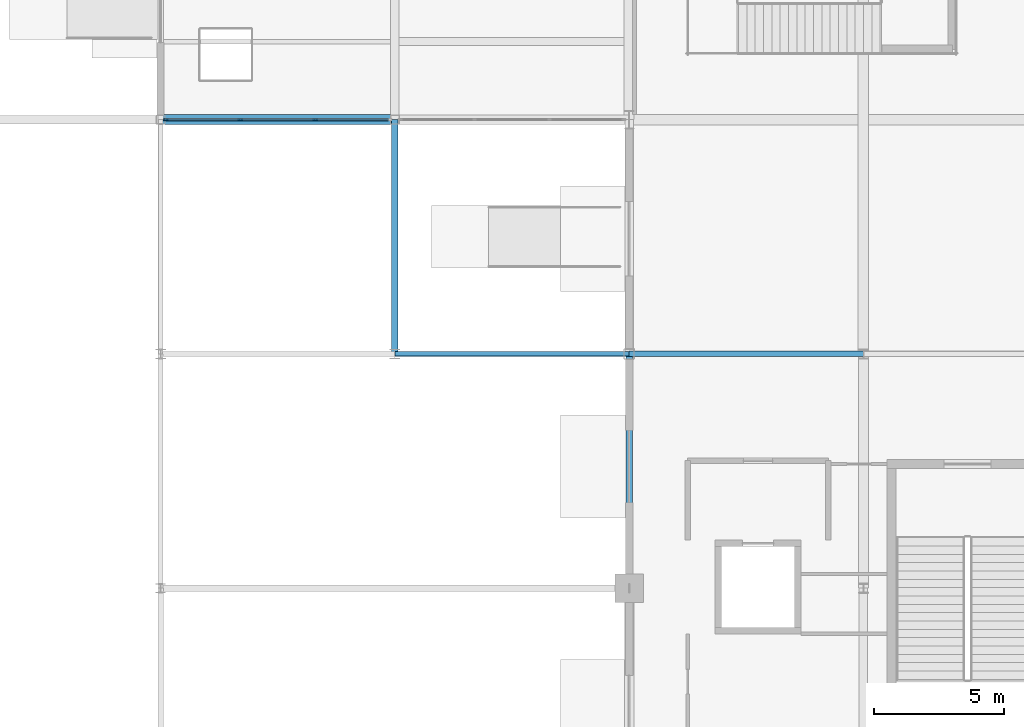
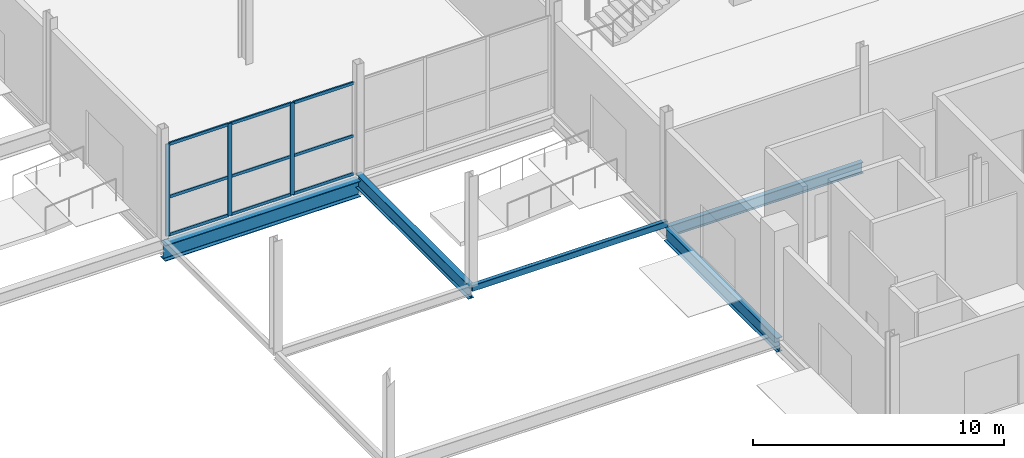
# One storey, part 30 of 94: 12 members, 5 beams, 1 element without a shape of its own.
"""IFC4 building model written with IfcOpenShell, lengths in metres."""

import ifcopenshell
import ifcopenshell.guid

model = None  # the IFC model being written
_history = None  # IfcOwnerHistory: only IFC2X3 demands one
_inside = {}  # id of a spatial element -> (the spatial element, [elements in it])
_under = {}  # id of a project, library or spatial element -> (it, [spatial elements below it])
_declared = {}  # id of a project -> (the project, [libraries it declares])
_typed = {}  # id of a type object -> (the type object, [elements of that type])
_made_of = {}  # id of a material, layer set ... -> (it, [elements and type objects made of it])


def new_model(schema):
    """Start an empty IFC model of exactly this schema.

    Asked for "IFC4X3", IfcOpenShell would pick the latest addendum, in which some entities
    have other attributes; the version numbers below select the first issue.
    IFC2X3 requires an IfcOwnerHistory on every rooted entity: one is made here for all.
    """
    global model, _history
    if schema == "IFC4X3":
        model = ifcopenshell.file(schema_version=(4, 3, 0, 0))
    else:
        model = ifcopenshell.file(schema=schema)
    _inside.clear()
    _under.clear()
    _declared.clear()
    _typed.clear()
    _made_of.clear()
    _history = None
    if model.schema == "IFC2X3":
        org = make("IfcOrganization", Name="unknown")
        user = make(
            "IfcPersonAndOrganization",
            ThePerson=make("IfcPerson", FamilyName="unknown"),
            TheOrganization=org,
        )
        app = make(
            "IfcApplication",
            ApplicationDeveloper=org,
            Version="unknown",
            ApplicationFullName="unknown",
            ApplicationIdentifier="unknown",
        )
        _history = make(
            "IfcOwnerHistory",
            OwningUser=user,
            OwningApplication=app,
            ChangeAction="ADDED",
            CreationDate=0,
        )
    return model


def make(cls, **values):
    """One entity of the class cls with the attributes given. An attribute that is None is left unset."""
    return model.create_entity(
        cls, **{name: value for name, value in values.items() if value is not None}
    )


def rooted(cls, **values):
    """An entity with a GlobalId (a new one), such as an element, a storey or a relation."""
    return make(cls, GlobalId=ifcopenshell.guid.new(), OwnerHistory=_history, **values)


def si_unit(unit_type, name, prefix=None):
    """IfcSIUnit, for example si_unit("LENGTHUNIT", "METRE", prefix="MILLI")."""
    return make("IfcSIUnit", UnitType=unit_type, Prefix=prefix, Name=name)


def assignment(units):
    """IfcUnitAssignment: the units of a project."""
    return None if units is None else make("IfcUnitAssignment", Units=units)


def point(xyz):
    """IfcCartesianPoint."""
    return None if xyz is None else make("IfcCartesianPoint", Coordinates=xyz)


def direction(xyz):
    """IfcDirection."""
    return None if xyz is None else make("IfcDirection", DirectionRatios=xyz)


def frame(location, z_axis=None, x_axis=None):
    """IfcAxis2Placement3D, a coordinate frame: its origin and axes. An axis left out is left unset."""
    return make(
        "IfcAxis2Placement3D",
        Location=point(location),
        Axis=direction(z_axis),
        RefDirection=direction(x_axis),
    )


def frame_2d(location, x_axis=None):
    """IfcAxis2Placement2D, a coordinate frame in the plane: its origin and x axis."""
    return make(
        "IfcAxis2Placement2D", Location=point(location), RefDirection=direction(x_axis)
    )


def origin():
    """The frame at (0, 0, 0) with its axes left unset."""
    return frame((0.0, 0.0, 0.0))


def origin_2d():
    """The frame at (0, 0) in the plane with its x axis left unset."""
    return frame_2d((0.0, 0.0))


def place(relative_to, where):
    """IfcLocalPlacement: puts the frame where relative to a parent placement (None: the world)."""
    return make(
        "IfcLocalPlacement", PlacementRelTo=relative_to, RelativePlacement=where
    )


def context(
    kind, dimensions, precision=None, world=None, true_north=None, identifier=None
):
    """IfcGeometricRepresentationContext, for example the 3D "Model" context."""
    return make(
        "IfcGeometricRepresentationContext",
        ContextIdentifier=identifier,
        ContextType=kind,
        CoordinateSpaceDimension=dimensions,
        Precision=precision,
        WorldCoordinateSystem=world,
        TrueNorth=true_north,
    )


def subcontext(parent, identifier, kind, view, scale=None):
    """IfcGeometricRepresentationSubContext, for example "Body" below "Model"."""
    return make(
        "IfcGeometricRepresentationSubContext",
        ContextIdentifier=identifier,
        ContextType=kind,
        ParentContext=parent,
        TargetScale=scale,
        TargetView=view,
    )


def project(units=None, contexts=None):
    """IfcProject with its units and contexts."""
    return rooted(
        "IfcProject",
        Name="project",
        RepresentationContexts=contexts,
        UnitsInContext=assignment(units),
    )


def spatial(cls, under=None, at=None, **own):
    """A site, building, storey or space (cls), placed at a placement, below another one or the project."""
    s = rooted(cls, ObjectPlacement=at, **own)
    if under is not None:
        _under.setdefault(under.id(), (under, []))[1].append(s)
    return s


def profile(cls, at=None, kind="AREA", **sizes):
    """A parametric profile (cls). Its sizes go by their IFC names, for example OverallWidth=200.0."""
    return make(cls, ProfileType=kind, Position=at, **sizes)


def rectangle(**sizes):
    """IfcRectangleProfileDef."""
    return profile("IfcRectangleProfileDef", **sizes)


def hollow_rectangle(**sizes):
    """IfcRectangleHollowProfileDef."""
    return profile("IfcRectangleHollowProfileDef", **sizes)


def i_section(**sizes):
    """IfcIShapeProfileDef."""
    return profile("IfcIShapeProfileDef", **sizes)


def extrude(swept, where, along, depth):
    """IfcExtrudedAreaSolid: the profile swept, set in the frame where, extruded along a direction by depth."""
    return make(
        "IfcExtrudedAreaSolid",
        SweptArea=swept,
        Position=where,
        ExtrudedDirection=direction(along),
        Depth=depth,
    )


def shape(context_of_items, identifier, shape_type, items):
    """IfcShapeRepresentation: the items that make up one representation, for example the "Body"."""
    return make(
        "IfcShapeRepresentation",
        ContextOfItems=context_of_items,
        RepresentationIdentifier=identifier,
        RepresentationType=shape_type,
        Items=items,
    )


def material(Name=None, Category=None):
    """IfcMaterial."""
    return make("IfcMaterial", Name=Name, Category=Category)


def layer(
    of_material, thickness, ventilated=None, Name=None, Category=None, Priority=None
):
    """IfcMaterialLayer: one layer of a wall or slab, of a material (None: an air gap)."""
    return make(
        "IfcMaterialLayer",
        Material=of_material,
        LayerThickness=thickness,
        IsVentilated=ventilated,
        Name=Name,
        Category=Category,
        Priority=Priority,
    )


def layer_set(layers, Name=None):
    """IfcMaterialLayerSet."""
    return make("IfcMaterialLayerSet", MaterialLayers=layers, LayerSetName=Name)


def material_profile(
    of_material, cross_section, Name=None, Category=None, Priority=None
):
    """IfcMaterialProfile: a cross section and its material."""
    return make(
        "IfcMaterialProfile",
        Name=Name,
        Material=of_material,
        Profile=cross_section,
        Priority=Priority,
        Category=Category,
    )


def profile_set(profiles, Name=None, composite=None):
    """IfcMaterialProfileSet."""
    return make(
        "IfcMaterialProfileSet",
        Name=Name,
        MaterialProfiles=profiles,
        CompositeProfile=composite,
    )


def made_of(thing, what):
    """Note that an element or type object is made of a material, layer set ...; save() writes the relation."""
    if what is not None:
        _made_of.setdefault(what.id(), (what, []))[1].append(thing)
    return thing


def type_object(cls, material=None, **own):
    """A type object (cls), such as IfcWallType, which elements share."""
    return made_of(rooted(cls, **own), material)


def element(
    cls,
    number,
    at=None,
    inside=None,
    cuts=None,
    type_object=None,
    material=None,
    context=None,
    identifier="Body",
    shape_type=None,
    held_by="IfcProductDefinitionShape",
    body=None,
    shapes=None,
    **own,
):
    """One element of the class cls, such as IfcWall. Its Tag is "e" and its number.

    at: its placement. inside: the storey or other place that contains it. cuts: it is an
    opening in that element (IfcRelVoidsElement). A single representation is given by context,
    identifier, shape_type and body (its items); several are given by shapes. held_by: the class
    of the entity that holds the representations. save() writes the other relations.
    """
    e = rooted(cls, Tag="e%d" % number, ObjectPlacement=at, **own)
    if body is not None:
        shapes = [shape(context, identifier, shape_type, body)]
    if shapes is not None:
        e.Representation = make(held_by, Representations=shapes)
    if inside is not None:
        _inside.setdefault(inside.id(), (inside, []))[1].append(e)
    if cuts is not None:
        rooted(
            "IfcRelVoidsElement", RelatingBuildingElement=cuts, RelatedOpeningElement=e
        )
    if type_object is not None:
        _typed.setdefault(type_object.id(), (type_object, []))[1].append(e)
    return made_of(e, material)


def aggregate(whole, parts):
    """IfcRelAggregates: a whole, such as a stair, and the parts it consists of."""
    return rooted("IfcRelAggregates", RelatingObject=whole, RelatedObjects=parts)


def save(model, path):
    """Write the relations noted so far, then the file.

    IfcRelAggregates (storeys below a building ...), IfcRelContainedInSpatialStructure (elements
    in a storey), IfcRelDefinesByType, IfcRelAssociatesMaterial and IfcRelDeclares: one each for
    every whole, place, type object, material and project.
    """
    for whole, parts in _under.values():
        aggregate(whole, parts)
    for where, things in _inside.values():
        rooted(
            "IfcRelContainedInSpatialStructure",
            RelatedElements=things,
            RelatingStructure=where,
        )
    for kind, things in _typed.values():
        rooted("IfcRelDefinesByType", RelatedObjects=things, RelatingType=kind)
    for what, things in _made_of.values():
        rooted("IfcRelAssociatesMaterial", RelatedObjects=things, RelatingMaterial=what)
    for by, libraries in _declared.values():
        rooted("IfcRelDeclares", RelatingContext=by, RelatedDefinitions=libraries)
    model.write(path)


model = new_model("IFC4")

# Units and contexts
model_context = context("Model", 3, precision=1e-05, world=origin(), true_north=direction((0.0, 1.0)))
body_context = subcontext(model_context, "Body", "Model", "MODEL_VIEW")
ifc_project = project(units=[si_unit("LENGTHUNIT", "METRE"), si_unit("AREAUNIT", "SQUARE_METRE"), si_unit("VOLUMEUNIT", "CUBIC_METRE"), si_unit("PLANEANGLEUNIT", "RADIAN"), si_unit("MASSUNIT", "GRAM", prefix="KILO")], contexts=[model_context])

# Site, building, storey
site_placement = place(None, origin())
site = spatial("IfcSite", under=ifc_project, at=site_placement, CompositionType="ELEMENT")
building_placement = place(site_placement, origin())
building = spatial("IfcBuilding", under=site, at=building_placement, Name="Qamarlyn Nura Convention Centre", CompositionType="ELEMENT")
storey_placement = place(building_placement, origin())
storey = spatial("IfcBuildingStorey", under=building, at=storey_placement, Name="L00", CompositionType="ELEMENT", Elevation=0.0)

# Beams
ifc_material_1 = material(Name="Steel ASTM A992", Category="steel")
ifc_material_profile_1 = material_profile(ifc_material_1, i_section(OverallWidth=0.25390625, OverallDepth=0.68408203125, WebThickness=0.012451171875, FlangeThickness=0.01904296875, FilletRadius=0.01806640625, at=origin_2d()), Name="W690X140")
ifc_profile_set_1 = profile_set([ifc_material_profile_1], Name="Steel ASTM A992")
beam_type_1 = type_object("IfcBeamType", Name="BM-GIRD-690B", PredefinedType="BEAM", material=ifc_profile_set_1)
for number, where, z_axis, x_axis, name in (
    (1, (144.0, 18.0, -0.342041015625), (0.0, 1.0, 0.0), (-1.0, 0.0, 0.0), "L00 girder 12 C-D"),
    (2, (153.0, 9.0, -0.6220703125), (0.0, 1.0, 0.0), (-1.0, 0.0, 0.0), "L00 girder 13 B-C"),
):
    element("IfcBeam", number, at=place(storey_placement, frame(where, z_axis=z_axis, x_axis=x_axis)), inside=storey, type_object=beam_type_1, Name=name, PredefinedType="BEAM", context=body_context, shape_type="SweptSolid", body=[
        extrude(i_section(OverallWidth=0.25390625, OverallDepth=0.68408203125, WebThickness=0.012451171875, FlangeThickness=0.01904296875, FilletRadius=0.01806640625, at=origin_2d()), origin(), (0.0, 0.0, 1.0), 9.0),
    ])
ifc_material_profile_2 = material_profile(ifc_material_1, i_section(OverallWidth=0.381103515625, OverallDepth=0.77294921875, WebThickness=0.0166015625, FlangeThickness=0.027587890625, FilletRadius=0.02001953125, at=origin_2d()), Name="W760X257")
ifc_profile_set_2 = profile_set([ifc_material_profile_2], Name="Steel ASTM A992")
beam_type_2 = type_object("IfcBeamType", Name="BM-GIRD-760", PredefinedType="BEAM", material=ifc_profile_set_2)
beam_1_placement = place(storey_placement, frame((135.0, 27.0, -0.6865234375), z_axis=(1.0, 0.0, 0.0), x_axis=(0.0, 1.0, 0.0)))
element("IfcBeam", 3, at=beam_1_placement, inside=storey, type_object=beam_type_2, Name="L00 girder D 11-12", PredefinedType="BEAM", context=body_context, shape_type="SweptSolid", body=[
    extrude(i_section(OverallWidth=0.381103515625, OverallDepth=0.77294921875, WebThickness=0.0166015625, FlangeThickness=0.027587890625, FilletRadius=0.02001953125, at=origin_2d()), origin(), (0.0, 0.0, 1.0), 9.0),
])
ifc_material_profile_3 = material_profile(ifc_material_1, i_section(OverallWidth=0.2109375, OverallDepth=0.5390625, WebThickness=0.01171875, FlangeThickness=0.018798828125, FilletRadius=0.013916015625, at=origin_2d()), Name="W530X109")
ifc_profile_set_3 = profile_set([ifc_material_profile_3], Name="Steel ASTM A992")
beam_type_3 = type_object("IfcBeamType", Name="BM-SPAN-530", PredefinedType="SPANDREL", material=ifc_profile_set_3)
beam_2_placement = place(storey_placement, frame((153.0, 18.0, -0.549560546875), z_axis=(1.0, 0.0, 0.0), x_axis=(0.0, 1.0, 0.0)))
element("IfcBeam", 4, at=beam_2_placement, inside=storey, type_object=beam_type_3, Name="L00 girder C 13-14", PredefinedType="SPANDREL", context=body_context, shape_type="SweptSolid", body=[
    extrude(i_section(OverallWidth=0.2109375, OverallDepth=0.5390625, WebThickness=0.01171875, FlangeThickness=0.018798828125, FilletRadius=0.013916015625, at=origin_2d()), origin(), (0.0, 0.0, 1.0), 9.0),
])
ifc_material_2 = material(Name="Steel ASTM A500 Grade C", Category="steel")
ifc_material_profile_4 = material_profile(ifc_material_2, hollow_rectangle(XDim=0.199951171875, YDim=0.300048828125, WallThickness=0.012451171875, InnerFilletRadius=0.012451171875, OuterFilletRadius=0.02490234375, at=origin_2d()), Name="HSS300X200X12.5")
ifc_profile_set_4 = profile_set([ifc_material_profile_4], Name="Steel ASTM A500 Grade C")
beam_type_4 = type_object("IfcBeamType", Name="BM-SPAN-HSS", PredefinedType="SPANDREL", material=ifc_profile_set_4)
beam_3_placement = place(storey_placement, frame((144.0, 18.0, -0.14990234375), z_axis=(1.0, 0.0, 0.0), x_axis=(0.0, 1.0, 0.0)))
element("IfcBeam", 5, at=beam_3_placement, inside=storey, type_object=beam_type_4, Name="L00 girder C 12-13", PredefinedType="SPANDREL", context=body_context, shape_type="SweptSolid", body=[
    extrude(hollow_rectangle(XDim=0.199951171875, YDim=0.300048828125, WallThickness=0.012451171875, InnerFilletRadius=0.012451171875, OuterFilletRadius=0.02490234375, at=origin_2d()), origin(), (0.0, 0.0, 1.0), 9.0),
])

# Curtain wall, members
ifc_material_3 = material(Name="Double-silver low-E insulated glass", Category="glass")
ifc_layer = layer(ifc_material_3, 0.179931640625, Name="CW-UNIT-60")
ifc_layer_set = layer_set([ifc_layer], Name="Double-silver low-E insulated glass")
curtain_wall_type = type_object("IfcCurtainWallType", Name="CW-UNIT-60", PredefinedType="NOTDEFINED", material=ifc_layer_set)
curtain_wall_placement = place(storey_placement, origin())
curtain_wall = element("IfcCurtainWall", 6, at=curtain_wall_placement, inside=storey, type_object=curtain_wall_type, Name="L00 unitised curtain wall WSS-L00-2", PredefinedType="NOTDEFINED")
ifc_material_4 = material(Name="Champagne-anodised marine aluminium", Category="aluminium")
ifc_material_profile_5 = material_profile(ifc_material_4, rectangle(XDim=0.070068359375, YDim=0.179931640625, at=origin_2d()), Name="ALU MULLION 70x180")
ifc_profile_set_5 = profile_set([ifc_material_profile_5], Name="Champagne-anodised marine aluminium")
member_type_1 = type_object("IfcMemberType", Name="CWM-180", PredefinedType="MULLION", material=ifc_profile_set_5)
member_1_placement = place(storey_placement, frame((140.941650390625, 27.0, 0.0), z_axis=(0.0, 0.0, 1.0), x_axis=(0.0, -1.0, 0.0)))
member_1 = element("IfcMember", 7, at=member_1_placement, type_object=member_type_1, Name="CW60 mullion 2", PredefinedType="MULLION", context=body_context, shape_type="SweptSolid", body=[
    extrude(rectangle(XDim=0.070068359375, YDim=0.179931640625, at=origin_2d()), origin(), (0.0, 0.0, 1.0), 4.48095703125),
])
member_2_placement = place(storey_placement, frame((138.058349609375, 27.0, 0.0), z_axis=(0.0, 0.0, 1.0), x_axis=(0.0, -1.0, 0.0)))
member_2 = element("IfcMember", 8, at=member_2_placement, type_object=member_type_1, Name="CW60 mullion 3", PredefinedType="MULLION", context=body_context, shape_type="SweptSolid", body=[
    extrude(rectangle(XDim=0.070068359375, YDim=0.179931640625, at=origin_2d()), origin(), (0.0, 0.0, 1.0), 4.48095703125),
])
member_3_placement = place(storey_placement, frame((135.2099609375, 27.0, 0.0), z_axis=(0.0, 0.0, 1.0), x_axis=(0.0, -1.0, 0.0)))
member_3 = element("IfcMember", 9, at=member_3_placement, type_object=member_type_1, Name="CW60 mullion 4", PredefinedType="MULLION", context=body_context, shape_type="SweptSolid", body=[
    extrude(rectangle(XDim=0.070068359375, YDim=0.179931640625, at=origin_2d()), origin(), (0.0, 0.0, 1.0), 4.48095703125),
])
ifc_material_profile_6 = material_profile(ifc_material_4, rectangle(XDim=0.070068359375, YDim=0.139892578125, at=origin_2d()), Name="ALU TRANSOM 70x140")
ifc_profile_set_6 = profile_set([ifc_material_profile_6], Name="Champagne-anodised marine aluminium")
member_type_2 = type_object("IfcMemberType", Name="CWT-140", PredefinedType="USERDEFINED", material=ifc_profile_set_6)
member_4_placement = place(storey_placement, frame((143.7548828125, 27.0, 0.034912109375), z_axis=(-1.0, 0.0, 0.0), x_axis=(0.0, -1.0, 0.0)))
member_4 = element("IfcMember", 10, at=member_4_placement, type_object=member_type_2, Name="CW60 transom 1.1", ObjectType="TRANSOM", PredefinedType="USERDEFINED", context=body_context, shape_type="SweptSolid", body=[
    extrude(rectangle(XDim=0.070068359375, YDim=0.139892578125, at=origin_2d()), origin(), (0.0, 0.0, 1.0), 2.7783203125),
])
member_5_placement = place(storey_placement, frame((143.7548828125, 27.0, 1.882080078125), z_axis=(-1.0, 0.0, 0.0), x_axis=(0.0, -1.0, 0.0)))
member_5 = element("IfcMember", 11, at=member_5_placement, type_object=member_type_2, Name="CW60 transom 1.2", ObjectType="TRANSOM", PredefinedType="USERDEFINED", context=body_context, shape_type="SweptSolid", body=[
    extrude(rectangle(XDim=0.070068359375, YDim=0.139892578125, at=origin_2d()), origin(), (0.0, 0.0, 1.0), 2.7783203125),
])
member_6_placement = place(storey_placement, frame((143.7548828125, 27.0, 4.446044921875), z_axis=(-1.0, 0.0, 0.0), x_axis=(0.0, -1.0, 0.0)))
member_6 = element("IfcMember", 12, at=member_6_placement, type_object=member_type_2, Name="CW60 transom 1.3", ObjectType="TRANSOM", PredefinedType="USERDEFINED", context=body_context, shape_type="SweptSolid", body=[
    extrude(rectangle(XDim=0.070068359375, YDim=0.139892578125, at=origin_2d()), origin(), (0.0, 0.0, 1.0), 2.7783203125),
])
member_7_placement = place(storey_placement, frame((140.90673828125, 27.0, 0.034912109375), z_axis=(-1.0, 0.0, 0.0), x_axis=(0.0, -1.0, 0.0)))
member_7 = element("IfcMember", 13, at=member_7_placement, type_object=member_type_2, Name="CW60 transom 2.1", ObjectType="TRANSOM", PredefinedType="USERDEFINED", context=body_context, shape_type="SweptSolid", body=[
    extrude(rectangle(XDim=0.070068359375, YDim=0.139892578125, at=origin_2d()), origin(), (0.0, 0.0, 1.0), 2.8134765625),
])
member_8_placement = place(storey_placement, frame((140.90673828125, 27.0, 1.882080078125), z_axis=(-1.0, 0.0, 0.0), x_axis=(0.0, -1.0, 0.0)))
member_8 = element("IfcMember", 14, at=member_8_placement, type_object=member_type_2, Name="CW60 transom 2.2", ObjectType="TRANSOM", PredefinedType="USERDEFINED", context=body_context, shape_type="SweptSolid", body=[
    extrude(rectangle(XDim=0.070068359375, YDim=0.139892578125, at=origin_2d()), origin(), (0.0, 0.0, 1.0), 2.8134765625),
])
member_9_placement = place(storey_placement, frame((140.90673828125, 27.0, 4.446044921875), z_axis=(-1.0, 0.0, 0.0), x_axis=(0.0, -1.0, 0.0)))
member_9 = element("IfcMember", 15, at=member_9_placement, type_object=member_type_2, Name="CW60 transom 2.3", ObjectType="TRANSOM", PredefinedType="USERDEFINED", context=body_context, shape_type="SweptSolid", body=[
    extrude(rectangle(XDim=0.070068359375, YDim=0.139892578125, at=origin_2d()), origin(), (0.0, 0.0, 1.0), 2.8134765625),
])
member_10_placement = place(storey_placement, frame((138.0234375, 27.0, 0.034912109375), z_axis=(-1.0, 0.0, 0.0), x_axis=(0.0, -1.0, 0.0)))
member_10 = element("IfcMember", 16, at=member_10_placement, type_object=member_type_2, Name="CW60 transom 3.1", ObjectType="TRANSOM", PredefinedType="USERDEFINED", context=body_context, shape_type="SweptSolid", body=[
    extrude(rectangle(XDim=0.070068359375, YDim=0.139892578125, at=origin_2d()), origin(), (0.0, 0.0, 1.0), 2.7783203125),
])
member_11_placement = place(storey_placement, frame((138.0234375, 27.0, 1.882080078125), z_axis=(-1.0, 0.0, 0.0), x_axis=(0.0, -1.0, 0.0)))
member_11 = element("IfcMember", 17, at=member_11_placement, type_object=member_type_2, Name="CW60 transom 3.2", ObjectType="TRANSOM", PredefinedType="USERDEFINED", context=body_context, shape_type="SweptSolid", body=[
    extrude(rectangle(XDim=0.070068359375, YDim=0.139892578125, at=origin_2d()), origin(), (0.0, 0.0, 1.0), 2.7783203125),
])
member_12_placement = place(storey_placement, frame((138.0234375, 27.0, 4.446044921875), z_axis=(-1.0, 0.0, 0.0), x_axis=(0.0, -1.0, 0.0)))
member_12 = element("IfcMember", 18, at=member_12_placement, type_object=member_type_2, Name="CW60 transom 3.3", ObjectType="TRANSOM", PredefinedType="USERDEFINED", context=body_context, shape_type="SweptSolid", body=[
    extrude(rectangle(XDim=0.070068359375, YDim=0.139892578125, at=origin_2d()), origin(), (0.0, 0.0, 1.0), 2.7783203125),
])
aggregate(curtain_wall, [member_1, member_2, member_3, member_4, member_5, member_6, member_7, member_8, member_9, member_10, member_11, member_12])

save(model, "model.ifc")
